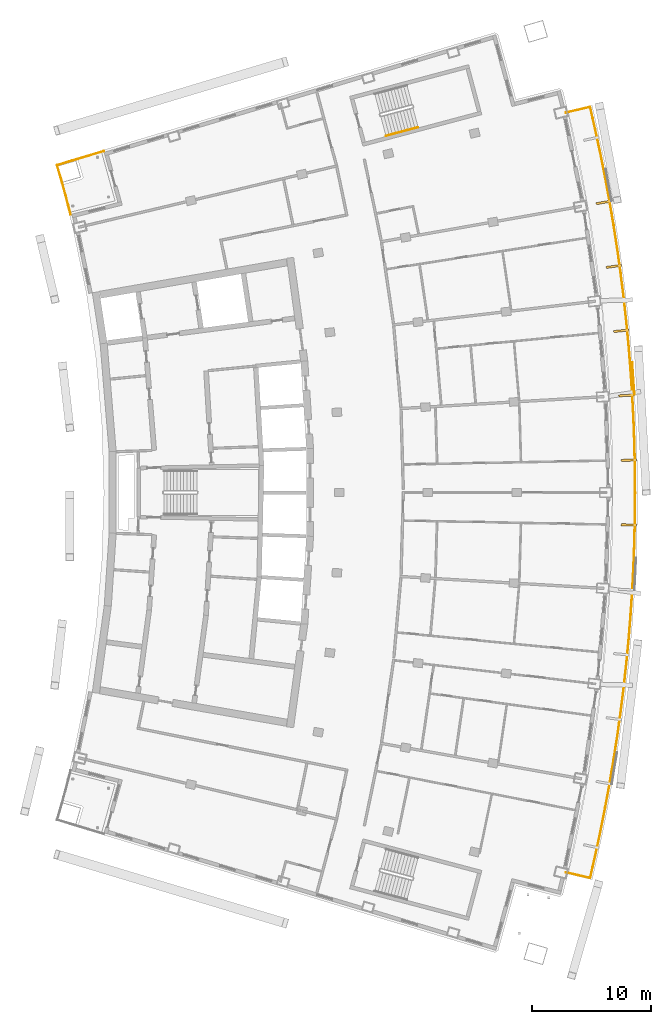
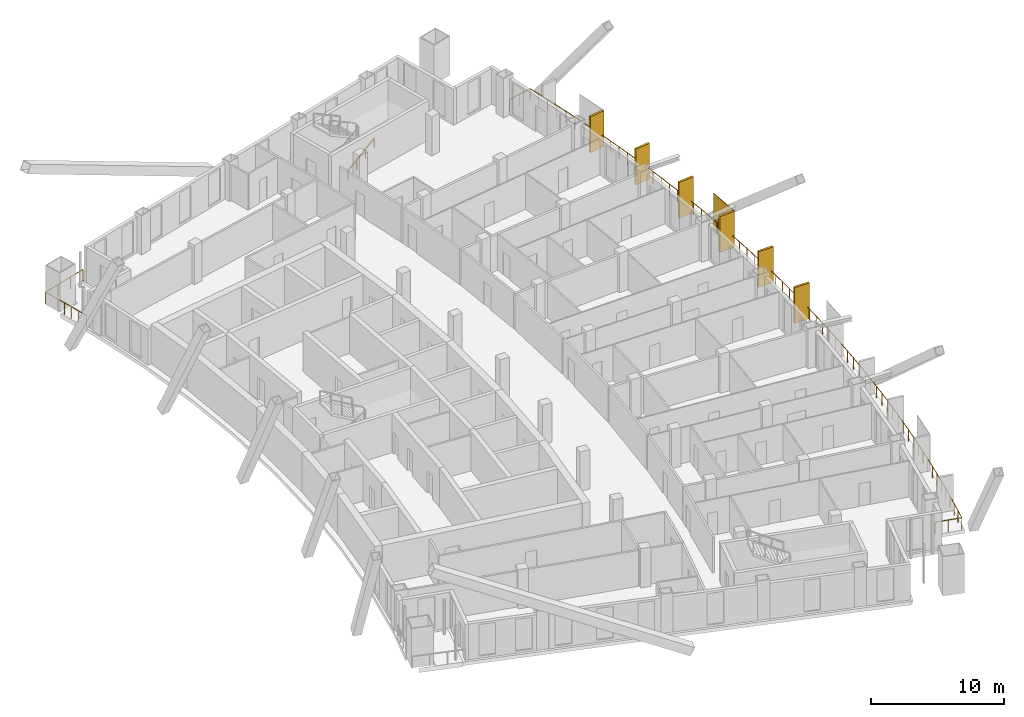
# One storey, part 18 of 19: 7 shading devices, 3 railings.
"""IFC4 building model written with IfcOpenShell, lengths in metres."""

from ifc_helpers import new_model, si_unit, direction, frame, origin, origin_2d, place, context, subcontext, project, spatial, rectangle, extrude, material, layer, layer_set, type_object, element, save


model = new_model("IFC4")

# Units and contexts
model_context = context("Model", 3, precision=1e-05, world=origin(), true_north=direction((0.0, 1.0)))
body_context = subcontext(model_context, "Body", "Model", "MODEL_VIEW")
ifc_project = project(units=[si_unit("LENGTHUNIT", "METRE"), si_unit("AREAUNIT", "SQUARE_METRE"), si_unit("VOLUMEUNIT", "CUBIC_METRE"), si_unit("PLANEANGLEUNIT", "RADIAN"), si_unit("MASSUNIT", "GRAM", prefix="KILO")], contexts=[model_context])

# Site, building, storey
site_placement = place(None, origin())
site = spatial("IfcSite", under=ifc_project, at=site_placement, CompositionType="ELEMENT")
building_placement = place(site_placement, origin())
building = spatial("IfcBuilding", under=site, at=building_placement, Name="Alderwake Tower", CompositionType="ELEMENT")
storey_placement = place(building_placement, frame((0.0, 0.0, 200.0)))
storey = spatial("IfcBuildingStorey", under=building, at=storey_placement, Name="L49", CompositionType="ELEMENT", Elevation=200.0)

# Railings
ifc_material_1 = material(Name="Stainless steel 316 rail and posts", Category="steel")
railing_type_1 = type_object("IfcRailingType", Name="Balcony guard 1100", PredefinedType="GUARDRAIL", material=ifc_material_1)
railing_1_placement = place(storey_placement, frame((54.86669921875, 29.048583984375, 0.0)))
element("IfcRailing", 1, at=railing_1_placement, inside=storey, type_object=railing_type_1, Name="Guard BF03", PredefinedType="GUARDRAIL", context=body_context, shape_type="SweptSolid", body=[
    extrude(rectangle(XDim=0.048095703125, YDim=0.048095703125, at=origin_2d()), frame((0.0, 0.0, 1.076171875), z_axis=(0.973069996158, -0.230509831846, 0.0), x_axis=(0.230509831846, 0.973069996158, 0.0)), (0.0, 0.0, 1.0), 2.100341796875),
    extrude(rectangle(XDim=0.048095703125, YDim=0.048095703125, at=origin_2d()), frame((2.043701171875, -0.484130859375, 1.076171875), z_axis=(0.223653450953, 0.974668730327, 0.0), x_axis=(-0.974668730327, 0.223653450953, 0.0)), (0.0, 0.0, 1.0), 1.951904296875),
    extrude(rectangle(XDim=0.048095703125, YDim=0.048095703125, at=origin_2d()), frame((2.480224609375, 1.418212890625, 1.076171875), z_axis=(0.209894744365, 0.977723987784, 0.0), x_axis=(-0.977723987784, 0.209894744365, 0.0)), (0.0, 0.0, 1.0), 2.0517578125),
    extrude(rectangle(XDim=0.048095703125, YDim=0.048095703125, at=origin_2d()), frame((2.910888671875, 3.42431640625, 1.076171875), z_axis=(0.195727136621, 0.980658395156, 0.0), x_axis=(-0.980658395156, 0.195727136621, 0.0)), (0.0, 0.0, 1.0), 2.052001953125),
    extrude(rectangle(XDim=0.048095703125, YDim=0.048095703125, at=origin_2d()), frame((3.3125, 5.4365234375, 1.076171875), z_axis=(0.18121997098, 0.983442587098, 0.0), x_axis=(-0.983442587098, 0.18121997098, 0.0)), (0.0, 0.0, 1.0), 2.0517578125),
    extrude(rectangle(XDim=0.048095703125, YDim=0.048095703125, at=origin_2d()), frame((3.684326171875, 7.454345703125, 1.076171875), z_axis=(0.166925923017, 0.985969439803, 0.0), x_axis=(-0.985969439803, 0.166925923017, 0.0)), (0.0, 0.0, 1.0), 2.052001953125),
    extrude(rectangle(XDim=0.048095703125, YDim=0.048095703125, at=origin_2d()), frame((4.02685546875, 9.4775390625, 1.076171875), z_axis=(0.152539987711, 0.988297299475, 0.0), x_axis=(-0.988297299475, 0.152539987711, 0.0)), (0.0, 0.0, 1.0), 2.0517578125),
    extrude(rectangle(XDim=0.048095703125, YDim=0.048095703125, at=origin_2d()), frame((4.33984375, 11.50537109375, 1.076171875), z_axis=(0.138139033555, 0.990412846952, 0.0), x_axis=(-0.990412846952, 0.138139033555, 0.0)), (0.0, 0.0, 1.0), 2.052001953125),
    extrude(rectangle(XDim=0.048095703125, YDim=0.048095703125, at=origin_2d()), frame((4.623291015625, 13.53759765625, 1.076171875), z_axis=(0.123507517364, 0.992343636627, 0.0), x_axis=(-0.992343636627, 0.123507517364, 0.0)), (0.0, 0.0, 1.0), 2.0517578125),
    extrude(rectangle(XDim=0.048095703125, YDim=0.048095703125, at=origin_2d()), frame((4.876708984375, 15.57373046875, 1.076171875), z_axis=(0.109229967975, 0.994016505948, 0.0), x_axis=(-0.994016505948, 0.109229967975, 0.0)), (0.0, 0.0, 1.0), 2.0517578125),
    extrude(rectangle(XDim=0.048095703125, YDim=0.048095703125, at=origin_2d()), frame((5.100830078125, 17.61328125, 1.076171875), z_axis=(0.094590111319, 0.995516303654, 0.0), x_axis=(-0.995516303654, 0.094590111319, 0.0)), (0.0, 0.0, 1.0), 2.052001953125),
    extrude(rectangle(XDim=0.048095703125, YDim=0.048095703125, at=origin_2d()), frame((5.294921875, 19.656005859375, 1.076171875), z_axis=(0.080199229738, 0.996778853884, 0.0), x_axis=(-0.996778853884, 0.080199229738, 0.0)), (0.0, 0.0, 1.0), 2.0517578125),
    extrude(rectangle(XDim=0.048095703125, YDim=0.048095703125, at=origin_2d()), frame((5.45947265625, 21.701171875, 1.076171875), z_axis=(0.065563376145, 0.997848407178, 0.0), x_axis=(-0.997848407178, 0.065563376145, 0.0)), (0.0, 0.0, 1.0), 2.0517578125),
    extrude(rectangle(XDim=0.048095703125, YDim=0.048095703125, at=origin_2d()), frame((5.593994140625, 23.74853515625, 1.076171875), z_axis=(0.051047382786, 0.99869623245, 0.0), x_axis=(-0.99869623245, 0.051047382786, 0.0)), (0.0, 0.0, 1.0), 2.0517578125),
    extrude(rectangle(XDim=0.048095703125, YDim=0.048095703125, at=origin_2d()), frame((5.69873046875, 25.797607421875, 1.076171875), z_axis=(0.036408752989, 0.999336981556, 0.0), x_axis=(-0.999336981556, 0.036408752989, 0.0)), (0.0, 0.0, 1.0), 2.052001953125),
    extrude(rectangle(XDim=0.048095703125, YDim=0.048095703125, at=origin_2d()), frame((5.7734375, 27.84814453125, 1.076171875), z_axis=(0.021891693926, 0.999760348152, 0.0), x_axis=(-0.999760348152, 0.021891693926, 0.0)), (0.0, 0.0, 1.0), 2.052001953125),
    extrude(rectangle(XDim=0.048095703125, YDim=0.048095703125, at=origin_2d()), frame((5.818359375, 29.899658203125, 1.076171875), z_axis=(0.00725825716, 0.999973658505, 0.0), x_axis=(-0.999973658505, 0.00725825716, 0.0)), (0.0, 0.0, 1.0), 2.0517578125),
    extrude(rectangle(XDim=0.048095703125, YDim=0.048095703125, at=origin_2d()), frame((5.833251953125, 31.951416015625, 1.076171875), z_axis=(-0.00725825716, 0.999973658505, 0.0), x_axis=(-0.999973658505, -0.00725825716, 0.0)), (0.0, 0.0, 1.0), 2.0517578125),
    extrude(rectangle(XDim=0.048095703125, YDim=0.048095703125, at=origin_2d()), frame((5.818359375, 34.003173828125, 1.076171875), z_axis=(-0.021891693926, 0.999760348152, 0.0), x_axis=(-0.999760348152, -0.021891693926, 0.0)), (0.0, 0.0, 1.0), 2.052001953125),
    extrude(rectangle(XDim=0.048095703125, YDim=0.048095703125, at=origin_2d()), frame((5.7734375, 36.0546875, 1.076171875), z_axis=(-0.036408752989, 0.999336981556, 0.0), x_axis=(-0.999336981556, -0.036408752989, 0.0)), (0.0, 0.0, 1.0), 2.052001953125),
    extrude(rectangle(XDim=0.048095703125, YDim=0.048095703125, at=origin_2d()), frame((5.69873046875, 38.105224609375, 1.076171875), z_axis=(-0.051047382786, 0.99869623245, 0.0), x_axis=(-0.99869623245, -0.051047382786, 0.0)), (0.0, 0.0, 1.0), 2.0517578125),
    extrude(rectangle(XDim=0.048095703125, YDim=0.048095703125, at=origin_2d()), frame((5.593994140625, 40.154296875, 1.076171875), z_axis=(-0.065563376145, 0.997848407178, 0.0), x_axis=(-0.997848407178, -0.065563376145, 0.0)), (0.0, 0.0, 1.0), 2.0517578125),
    extrude(rectangle(XDim=0.048095703125, YDim=0.048095703125, at=origin_2d()), frame((5.45947265625, 42.20166015625, 1.076171875), z_axis=(-0.080199229738, 0.996778853884, 0.0), x_axis=(-0.996778853884, -0.080199229738, 0.0)), (0.0, 0.0, 1.0), 2.0517578125),
    extrude(rectangle(XDim=0.048095703125, YDim=0.048095703125, at=origin_2d()), frame((5.294921875, 44.246826171875, 1.076171875), z_axis=(-0.094590111319, 0.995516303654, 0.0), x_axis=(-0.995516303654, -0.094590111319, 0.0)), (0.0, 0.0, 1.0), 2.052001953125),
    extrude(rectangle(XDim=0.048095703125, YDim=0.048095703125, at=origin_2d()), frame((5.100830078125, 46.28955078125, 1.076171875), z_axis=(-0.109229967975, 0.994016505948, 0.0), x_axis=(-0.994016505948, -0.109229967975, 0.0)), (0.0, 0.0, 1.0), 2.0517578125),
    extrude(rectangle(XDim=0.048095703125, YDim=0.048095703125, at=origin_2d()), frame((4.876708984375, 48.3291015625, 1.076171875), z_axis=(-0.123507517364, 0.992343636627, 0.0), x_axis=(-0.992343636627, -0.123507517364, 0.0)), (0.0, 0.0, 1.0), 2.0517578125),
    extrude(rectangle(XDim=0.048095703125, YDim=0.048095703125, at=origin_2d()), frame((4.623291015625, 50.365234375, 1.076171875), z_axis=(-0.138139033555, 0.990412846952, 0.0), x_axis=(-0.990412846952, -0.138139033555, 0.0)), (0.0, 0.0, 1.0), 2.052001953125),
    extrude(rectangle(XDim=0.048095703125, YDim=0.048095703125, at=origin_2d()), frame((4.33984375, 52.3974609375, 1.076171875), z_axis=(-0.152539987711, 0.988297299475, 0.0), x_axis=(-0.988297299475, -0.152539987711, 0.0)), (0.0, 0.0, 1.0), 2.0517578125),
    extrude(rectangle(XDim=0.048095703125, YDim=0.048095703125, at=origin_2d()), frame((4.02685546875, 54.42529296875, 1.076171875), z_axis=(-0.166925923017, 0.985969439803, 0.0), x_axis=(-0.985969439803, -0.166925923017, 0.0)), (0.0, 0.0, 1.0), 2.052001953125),
    extrude(rectangle(XDim=0.048095703125, YDim=0.048095703125, at=origin_2d()), frame((3.684326171875, 56.448486328125, 1.076171875), z_axis=(-0.18121997098, 0.983442587098, 0.0), x_axis=(-0.983442587098, -0.18121997098, 0.0)), (0.0, 0.0, 1.0), 2.0517578125),
    extrude(rectangle(XDim=0.048095703125, YDim=0.048095703125, at=origin_2d()), frame((3.3125, 58.46630859375, 1.076171875), z_axis=(-0.195727136621, 0.980658395156, 0.0), x_axis=(-0.980658395156, -0.195727136621, 0.0)), (0.0, 0.0, 1.0), 2.052001953125),
    extrude(rectangle(XDim=0.048095703125, YDim=0.048095703125, at=origin_2d()), frame((2.910888671875, 60.478515625, 1.076171875), z_axis=(-0.209894744365, 0.977723987784, 0.0), x_axis=(-0.977723987784, -0.209894744365, 0.0)), (0.0, 0.0, 1.0), 2.0517578125),
    extrude(rectangle(XDim=0.048095703125, YDim=0.048095703125, at=origin_2d()), frame((2.480224609375, 62.484619140625, 1.076171875), z_axis=(-0.223653450953, 0.974668730327, 0.0), x_axis=(-0.974668730327, -0.223653450953, 0.0)), (0.0, 0.0, 1.0), 1.951904296875),
    extrude(rectangle(XDim=0.048095703125, YDim=0.048095703125, at=origin_2d()), frame((2.043701171875, 64.386962890625, 1.076171875), z_axis=(-0.973069996158, -0.230509831846, 0.0), x_axis=(0.230509831846, -0.973069996158, 0.0)), (0.0, 0.0, 1.0), 2.100341796875),
    extrude(rectangle(XDim=0.0419921875, YDim=0.0419921875, at=origin_2d()), frame((0.0, 0.0, 0.0), z_axis=(0.0, 0.0, 1.0), x_axis=(0.973069996158, -0.230509831846, 0.0)), (0.0, 0.0, 1.0), 1.052001953125),
    extrude(rectangle(XDim=0.0419921875, YDim=0.0419921875, at=origin_2d()), frame((1.02197265625, -0.2421875, 0.0), z_axis=(0.0, 0.0, 1.0), x_axis=(0.973069996158, -0.230509831846, 0.0)), (0.0, 0.0, 1.0), 1.052001953125),
    extrude(rectangle(XDim=0.0419921875, YDim=0.0419921875, at=origin_2d()), frame((2.043701171875, -0.484130859375, 0.0), z_axis=(0.0, 0.0, 1.0), x_axis=(0.223653450953, 0.974668730327, 0.0)), (0.0, 0.0, 1.0), 1.052001953125),
    extrude(rectangle(XDim=0.0419921875, YDim=0.0419921875, at=origin_2d()), frame((2.261962890625, 0.467041015625, 0.0), z_axis=(0.0, 0.0, 1.0), x_axis=(0.223653450953, 0.974668730327, 0.0)), (0.0, 0.0, 1.0), 1.052001953125),
    extrude(rectangle(XDim=0.0419921875, YDim=0.0419921875, at=origin_2d()), frame((2.480224609375, 1.418212890625, 0.0), z_axis=(0.0, 0.0, 1.0), x_axis=(0.209894744365, 0.977723987784, 0.0)), (0.0, 0.0, 1.0), 1.052001953125),
    extrude(rectangle(XDim=0.0419921875, YDim=0.0419921875, at=origin_2d()), frame((2.695556640625, 2.42138671875, 0.0), z_axis=(0.0, 0.0, 1.0), x_axis=(0.209894744365, 0.977723987784, 0.0)), (0.0, 0.0, 1.0), 1.052001953125),
    extrude(rectangle(XDim=0.0419921875, YDim=0.0419921875, at=origin_2d()), frame((2.910888671875, 3.42431640625, 0.0), z_axis=(0.0, 0.0, 1.0), x_axis=(0.195727136621, 0.980658395156, 0.0)), (0.0, 0.0, 1.0), 1.052001953125),
    extrude(rectangle(XDim=0.0419921875, YDim=0.0419921875, at=origin_2d()), frame((3.11181640625, 4.430419921875, 0.0), z_axis=(0.0, 0.0, 1.0), x_axis=(0.195727136621, 0.980658395156, 0.0)), (0.0, 0.0, 1.0), 1.052001953125),
    extrude(rectangle(XDim=0.0419921875, YDim=0.0419921875, at=origin_2d()), frame((3.3125, 5.4365234375, 0.0), z_axis=(0.0, 0.0, 1.0), x_axis=(0.18121997098, 0.983442587098, 0.0)), (0.0, 0.0, 1.0), 1.052001953125),
    extrude(rectangle(XDim=0.0419921875, YDim=0.0419921875, at=origin_2d()), frame((3.49853515625, 6.4453125, 0.0), z_axis=(0.0, 0.0, 1.0), x_axis=(0.18121997098, 0.983442587098, 0.0)), (0.0, 0.0, 1.0), 1.052001953125),
    extrude(rectangle(XDim=0.0419921875, YDim=0.0419921875, at=origin_2d()), frame((3.684326171875, 7.454345703125, 0.0), z_axis=(0.0, 0.0, 1.0), x_axis=(0.166925923017, 0.985969439803, 0.0)), (0.0, 0.0, 1.0), 1.052001953125),
    extrude(rectangle(XDim=0.0419921875, YDim=0.0419921875, at=origin_2d()), frame((3.85546875, 8.4658203125, 0.0), z_axis=(0.0, 0.0, 1.0), x_axis=(0.166925923017, 0.985969439803, 0.0)), (0.0, 0.0, 1.0), 1.052001953125),
    extrude(rectangle(XDim=0.0419921875, YDim=0.0419921875, at=origin_2d()), frame((4.02685546875, 9.4775390625, 0.0), z_axis=(0.0, 0.0, 1.0), x_axis=(0.152539987711, 0.988297299475, 0.0)), (0.0, 0.0, 1.0), 1.052001953125),
    extrude(rectangle(XDim=0.0419921875, YDim=0.0419921875, at=origin_2d()), frame((4.183349609375, 10.491455078125, 0.0), z_axis=(0.0, 0.0, 1.0), x_axis=(0.152539987711, 0.988297299475, 0.0)), (0.0, 0.0, 1.0), 1.052001953125),
    extrude(rectangle(XDim=0.0419921875, YDim=0.0419921875, at=origin_2d()), frame((4.33984375, 11.50537109375, 0.0), z_axis=(0.0, 0.0, 1.0), x_axis=(0.138139033555, 0.990412846952, 0.0)), (0.0, 0.0, 1.0), 1.052001953125),
    extrude(rectangle(XDim=0.0419921875, YDim=0.0419921875, at=origin_2d()), frame((4.4814453125, 12.521484375, 0.0), z_axis=(0.0, 0.0, 1.0), x_axis=(0.138139033555, 0.990412846952, 0.0)), (0.0, 0.0, 1.0), 1.052001953125),
    extrude(rectangle(XDim=0.0419921875, YDim=0.0419921875, at=origin_2d()), frame((4.623291015625, 13.53759765625, 0.0), z_axis=(0.0, 0.0, 1.0), x_axis=(0.123507517364, 0.992343636627, 0.0)), (0.0, 0.0, 1.0), 1.052001953125),
    extrude(rectangle(XDim=0.0419921875, YDim=0.0419921875, at=origin_2d()), frame((4.75, 14.5556640625, 0.0), z_axis=(0.0, 0.0, 1.0), x_axis=(0.123507517364, 0.992343636627, 0.0)), (0.0, 0.0, 1.0), 1.052001953125),
    extrude(rectangle(XDim=0.0419921875, YDim=0.0419921875, at=origin_2d()), frame((4.876708984375, 15.57373046875, 0.0), z_axis=(0.0, 0.0, 1.0), x_axis=(0.109229967975, 0.994016505948, 0.0)), (0.0, 0.0, 1.0), 1.052001953125),
    extrude(rectangle(XDim=0.0419921875, YDim=0.0419921875, at=origin_2d()), frame((4.98876953125, 16.593505859375, 0.0), z_axis=(0.0, 0.0, 1.0), x_axis=(0.109229967975, 0.994016505948, 0.0)), (0.0, 0.0, 1.0), 1.052001953125),
    extrude(rectangle(XDim=0.0419921875, YDim=0.0419921875, at=origin_2d()), frame((5.100830078125, 17.61328125, 0.0), z_axis=(0.0, 0.0, 1.0), x_axis=(0.094590111319, 0.995516303654, 0.0)), (0.0, 0.0, 1.0), 1.052001953125),
    extrude(rectangle(XDim=0.0419921875, YDim=0.0419921875, at=origin_2d()), frame((5.19775390625, 18.634765625, 0.0), z_axis=(0.0, 0.0, 1.0), x_axis=(0.094590111319, 0.995516303654, 0.0)), (0.0, 0.0, 1.0), 1.052001953125),
    extrude(rectangle(XDim=0.0419921875, YDim=0.0419921875, at=origin_2d()), frame((5.294921875, 19.656005859375, 0.0), z_axis=(0.0, 0.0, 1.0), x_axis=(0.080199229738, 0.996778853884, 0.0)), (0.0, 0.0, 1.0), 1.052001953125),
    extrude(rectangle(XDim=0.0419921875, YDim=0.0419921875, at=origin_2d()), frame((5.377197265625, 20.6787109375, 0.0), z_axis=(0.0, 0.0, 1.0), x_axis=(0.080199229738, 0.996778853884, 0.0)), (0.0, 0.0, 1.0), 1.052001953125),
    extrude(rectangle(XDim=0.0419921875, YDim=0.0419921875, at=origin_2d()), frame((5.45947265625, 21.701171875, 0.0), z_axis=(0.0, 0.0, 1.0), x_axis=(0.065563376145, 0.997848407178, 0.0)), (0.0, 0.0, 1.0), 1.052001953125),
    extrude(rectangle(XDim=0.0419921875, YDim=0.0419921875, at=origin_2d()), frame((5.52685546875, 22.724853515625, 0.0), z_axis=(0.0, 0.0, 1.0), x_axis=(0.065563376145, 0.997848407178, 0.0)), (0.0, 0.0, 1.0), 1.052001953125),
    extrude(rectangle(XDim=0.0419921875, YDim=0.0419921875, at=origin_2d()), frame((5.593994140625, 23.74853515625, 0.0), z_axis=(0.0, 0.0, 1.0), x_axis=(0.051047382786, 0.99869623245, 0.0)), (0.0, 0.0, 1.0), 1.052001953125),
    extrude(rectangle(XDim=0.0419921875, YDim=0.0419921875, at=origin_2d()), frame((5.646484375, 24.77294921875, 0.0), z_axis=(0.0, 0.0, 1.0), x_axis=(0.051047382786, 0.99869623245, 0.0)), (0.0, 0.0, 1.0), 1.052001953125),
    extrude(rectangle(XDim=0.0419921875, YDim=0.0419921875, at=origin_2d()), frame((5.69873046875, 25.797607421875, 0.0), z_axis=(0.0, 0.0, 1.0), x_axis=(0.036408752989, 0.999336981556, 0.0)), (0.0, 0.0, 1.0), 1.052001953125),
    extrude(rectangle(XDim=0.0419921875, YDim=0.0419921875, at=origin_2d()), frame((5.736083984375, 26.82275390625, 0.0), z_axis=(0.0, 0.0, 1.0), x_axis=(0.036408752989, 0.999336981556, 0.0)), (0.0, 0.0, 1.0), 1.052001953125),
    extrude(rectangle(XDim=0.0419921875, YDim=0.0419921875, at=origin_2d()), frame((5.7734375, 27.84814453125, 0.0), z_axis=(0.0, 0.0, 1.0), x_axis=(0.021891693926, 0.999760348152, 0.0)), (0.0, 0.0, 1.0), 1.052001953125),
    extrude(rectangle(XDim=0.0419921875, YDim=0.0419921875, at=origin_2d()), frame((5.7958984375, 28.8740234375, 0.0), z_axis=(0.0, 0.0, 1.0), x_axis=(0.021891693926, 0.999760348152, 0.0)), (0.0, 0.0, 1.0), 1.052001953125),
    extrude(rectangle(XDim=0.0419921875, YDim=0.0419921875, at=origin_2d()), frame((5.818359375, 29.899658203125, 0.0), z_axis=(0.0, 0.0, 1.0), x_axis=(0.00725825716, 0.999973658505, 0.0)), (0.0, 0.0, 1.0), 1.052001953125),
    extrude(rectangle(XDim=0.0419921875, YDim=0.0419921875, at=origin_2d()), frame((5.82568359375, 30.925537109375, 0.0), z_axis=(0.0, 0.0, 1.0), x_axis=(0.00725825716, 0.999973658505, 0.0)), (0.0, 0.0, 1.0), 1.052001953125),
    extrude(rectangle(XDim=0.0419921875, YDim=0.0419921875, at=origin_2d()), frame((5.833251953125, 31.951416015625, 0.0), z_axis=(0.0, 0.0, 1.0), x_axis=(-0.00725825716, 0.999973658505, 0.0)), (0.0, 0.0, 1.0), 1.052001953125),
    extrude(rectangle(XDim=0.0419921875, YDim=0.0419921875, at=origin_2d()), frame((5.82568359375, 32.977294921875, 0.0), z_axis=(0.0, 0.0, 1.0), x_axis=(-0.00725825716, 0.999973658505, 0.0)), (0.0, 0.0, 1.0), 1.052001953125),
    extrude(rectangle(XDim=0.0419921875, YDim=0.0419921875, at=origin_2d()), frame((5.818359375, 34.003173828125, 0.0), z_axis=(0.0, 0.0, 1.0), x_axis=(-0.021891693926, 0.999760348152, 0.0)), (0.0, 0.0, 1.0), 1.052001953125),
    extrude(rectangle(XDim=0.0419921875, YDim=0.0419921875, at=origin_2d()), frame((5.7958984375, 35.02880859375, 0.0), z_axis=(0.0, 0.0, 1.0), x_axis=(-0.021891693926, 0.999760348152, 0.0)), (0.0, 0.0, 1.0), 1.052001953125),
    extrude(rectangle(XDim=0.0419921875, YDim=0.0419921875, at=origin_2d()), frame((5.7734375, 36.0546875, 0.0), z_axis=(0.0, 0.0, 1.0), x_axis=(-0.036408752989, 0.999336981556, 0.0)), (0.0, 0.0, 1.0), 1.052001953125),
    extrude(rectangle(XDim=0.0419921875, YDim=0.0419921875, at=origin_2d()), frame((5.736083984375, 37.080078125, 0.0), z_axis=(0.0, 0.0, 1.0), x_axis=(-0.036408752989, 0.999336981556, 0.0)), (0.0, 0.0, 1.0), 1.052001953125),
    extrude(rectangle(XDim=0.0419921875, YDim=0.0419921875, at=origin_2d()), frame((5.69873046875, 38.105224609375, 0.0), z_axis=(0.0, 0.0, 1.0), x_axis=(-0.051047382786, 0.99869623245, 0.0)), (0.0, 0.0, 1.0), 1.052001953125),
    extrude(rectangle(XDim=0.0419921875, YDim=0.0419921875, at=origin_2d()), frame((5.646484375, 39.1298828125, 0.0), z_axis=(0.0, 0.0, 1.0), x_axis=(-0.051047382786, 0.99869623245, 0.0)), (0.0, 0.0, 1.0), 1.052001953125),
    extrude(rectangle(XDim=0.0419921875, YDim=0.0419921875, at=origin_2d()), frame((5.593994140625, 40.154296875, 0.0), z_axis=(0.0, 0.0, 1.0), x_axis=(-0.065563376145, 0.997848407178, 0.0)), (0.0, 0.0, 1.0), 1.052001953125),
    extrude(rectangle(XDim=0.0419921875, YDim=0.0419921875, at=origin_2d()), frame((5.52685546875, 41.177978515625, 0.0), z_axis=(0.0, 0.0, 1.0), x_axis=(-0.065563376145, 0.997848407178, 0.0)), (0.0, 0.0, 1.0), 1.052001953125),
    extrude(rectangle(XDim=0.0419921875, YDim=0.0419921875, at=origin_2d()), frame((5.45947265625, 42.20166015625, 0.0), z_axis=(0.0, 0.0, 1.0), x_axis=(-0.080199229738, 0.996778853884, 0.0)), (0.0, 0.0, 1.0), 1.052001953125),
    extrude(rectangle(XDim=0.0419921875, YDim=0.0419921875, at=origin_2d()), frame((5.377197265625, 43.22412109375, 0.0), z_axis=(0.0, 0.0, 1.0), x_axis=(-0.080199229738, 0.996778853884, 0.0)), (0.0, 0.0, 1.0), 1.052001953125),
    extrude(rectangle(XDim=0.0419921875, YDim=0.0419921875, at=origin_2d()), frame((5.294921875, 44.246826171875, 0.0), z_axis=(0.0, 0.0, 1.0), x_axis=(-0.094590111319, 0.995516303654, 0.0)), (0.0, 0.0, 1.0), 1.052001953125),
    extrude(rectangle(XDim=0.0419921875, YDim=0.0419921875, at=origin_2d()), frame((5.19775390625, 45.26806640625, 0.0), z_axis=(0.0, 0.0, 1.0), x_axis=(-0.094590111319, 0.995516303654, 0.0)), (0.0, 0.0, 1.0), 1.052001953125),
    extrude(rectangle(XDim=0.0419921875, YDim=0.0419921875, at=origin_2d()), frame((5.100830078125, 46.28955078125, 0.0), z_axis=(0.0, 0.0, 1.0), x_axis=(-0.109229967975, 0.994016505948, 0.0)), (0.0, 0.0, 1.0), 1.052001953125),
    extrude(rectangle(XDim=0.0419921875, YDim=0.0419921875, at=origin_2d()), frame((4.98876953125, 47.309326171875, 0.0), z_axis=(0.0, 0.0, 1.0), x_axis=(-0.109229967975, 0.994016505948, 0.0)), (0.0, 0.0, 1.0), 1.052001953125),
    extrude(rectangle(XDim=0.0419921875, YDim=0.0419921875, at=origin_2d()), frame((4.876708984375, 48.3291015625, 0.0), z_axis=(0.0, 0.0, 1.0), x_axis=(-0.123507517364, 0.992343636627, 0.0)), (0.0, 0.0, 1.0), 1.052001953125),
    extrude(rectangle(XDim=0.0419921875, YDim=0.0419921875, at=origin_2d()), frame((4.75, 49.34716796875, 0.0), z_axis=(0.0, 0.0, 1.0), x_axis=(-0.123507517364, 0.992343636627, 0.0)), (0.0, 0.0, 1.0), 1.052001953125),
    extrude(rectangle(XDim=0.0419921875, YDim=0.0419921875, at=origin_2d()), frame((4.623291015625, 50.365234375, 0.0), z_axis=(0.0, 0.0, 1.0), x_axis=(-0.138139033555, 0.990412846952, 0.0)), (0.0, 0.0, 1.0), 1.052001953125),
    extrude(rectangle(XDim=0.0419921875, YDim=0.0419921875, at=origin_2d()), frame((4.4814453125, 51.38134765625, 0.0), z_axis=(0.0, 0.0, 1.0), x_axis=(-0.138139033555, 0.990412846952, 0.0)), (0.0, 0.0, 1.0), 1.052001953125),
    extrude(rectangle(XDim=0.0419921875, YDim=0.0419921875, at=origin_2d()), frame((4.33984375, 52.3974609375, 0.0), z_axis=(0.0, 0.0, 1.0), x_axis=(-0.152539987711, 0.988297299475, 0.0)), (0.0, 0.0, 1.0), 1.052001953125),
    extrude(rectangle(XDim=0.0419921875, YDim=0.0419921875, at=origin_2d()), frame((4.183349609375, 53.411376953125, 0.0), z_axis=(0.0, 0.0, 1.0), x_axis=(-0.152539987711, 0.988297299475, 0.0)), (0.0, 0.0, 1.0), 1.052001953125),
    extrude(rectangle(XDim=0.0419921875, YDim=0.0419921875, at=origin_2d()), frame((4.02685546875, 54.42529296875, 0.0), z_axis=(0.0, 0.0, 1.0), x_axis=(-0.166925923017, 0.985969439803, 0.0)), (0.0, 0.0, 1.0), 1.052001953125),
    extrude(rectangle(XDim=0.0419921875, YDim=0.0419921875, at=origin_2d()), frame((3.85546875, 55.43701171875, 0.0), z_axis=(0.0, 0.0, 1.0), x_axis=(-0.166925923017, 0.985969439803, 0.0)), (0.0, 0.0, 1.0), 1.052001953125),
    extrude(rectangle(XDim=0.0419921875, YDim=0.0419921875, at=origin_2d()), frame((3.684326171875, 56.448486328125, 0.0), z_axis=(0.0, 0.0, 1.0), x_axis=(-0.18121997098, 0.983442587098, 0.0)), (0.0, 0.0, 1.0), 1.052001953125),
    extrude(rectangle(XDim=0.0419921875, YDim=0.0419921875, at=origin_2d()), frame((3.49853515625, 57.45751953125, 0.0), z_axis=(0.0, 0.0, 1.0), x_axis=(-0.18121997098, 0.983442587098, 0.0)), (0.0, 0.0, 1.0), 1.052001953125),
    extrude(rectangle(XDim=0.0419921875, YDim=0.0419921875, at=origin_2d()), frame((3.3125, 58.46630859375, 0.0), z_axis=(0.0, 0.0, 1.0), x_axis=(-0.195727136621, 0.980658395156, 0.0)), (0.0, 0.0, 1.0), 1.052001953125),
    extrude(rectangle(XDim=0.0419921875, YDim=0.0419921875, at=origin_2d()), frame((3.11181640625, 59.472412109375, 0.0), z_axis=(0.0, 0.0, 1.0), x_axis=(-0.195727136621, 0.980658395156, 0.0)), (0.0, 0.0, 1.0), 1.052001953125),
    extrude(rectangle(XDim=0.0419921875, YDim=0.0419921875, at=origin_2d()), frame((2.910888671875, 60.478515625, 0.0), z_axis=(0.0, 0.0, 1.0), x_axis=(-0.209894744365, 0.977723987784, 0.0)), (0.0, 0.0, 1.0), 1.052001953125),
    extrude(rectangle(XDim=0.0419921875, YDim=0.0419921875, at=origin_2d()), frame((2.695556640625, 61.4814453125, 0.0), z_axis=(0.0, 0.0, 1.0), x_axis=(-0.209894744365, 0.977723987784, 0.0)), (0.0, 0.0, 1.0), 1.052001953125),
    extrude(rectangle(XDim=0.0419921875, YDim=0.0419921875, at=origin_2d()), frame((2.480224609375, 62.484619140625, 0.0), z_axis=(0.0, 0.0, 1.0), x_axis=(-0.223653450953, 0.974668730327, 0.0)), (0.0, 0.0, 1.0), 1.052001953125),
    extrude(rectangle(XDim=0.0419921875, YDim=0.0419921875, at=origin_2d()), frame((2.261962890625, 63.435791015625, 0.0), z_axis=(0.0, 0.0, 1.0), x_axis=(-0.223653450953, 0.974668730327, 0.0)), (0.0, 0.0, 1.0), 1.052001953125),
    extrude(rectangle(XDim=0.0419921875, YDim=0.0419921875, at=origin_2d()), frame((2.043701171875, 64.386962890625, 0.0), z_axis=(0.0, 0.0, 1.0), x_axis=(-0.973069996158, -0.230509831846, 0.0)), (0.0, 0.0, 1.0), 1.052001953125),
    extrude(rectangle(XDim=0.0419921875, YDim=0.0419921875, at=origin_2d()), frame((1.02197265625, 64.14501953125, 0.0), z_axis=(0.0, 0.0, 1.0), x_axis=(-0.973069996158, -0.230509831846, 0.0)), (0.0, 0.0, 1.0), 1.052001953125),
    extrude(rectangle(XDim=0.0419921875, YDim=0.0419921875, at=origin_2d()), frame((0.0, 63.90283203125, 0.0), z_axis=(0.0, 0.0, 1.0), x_axis=(-0.973069996158, -0.230509831846, 0.0)), (0.0, 0.0, 1.0), 1.052001953125),
])
railing_2_placement = place(storey_placement, frame((13.210693359375, 84.387451171875, 0.0)))
element("IfcRailing", 2, at=railing_2_placement, inside=storey, type_object=railing_type_1, Name="Guard terrace RN", PredefinedType="GUARDRAIL", context=body_context, shape_type="SweptSolid", body=[
    extrude(rectangle(XDim=0.048095703125, YDim=0.048095703125, at=origin_2d()), frame((0.0, 0.0, 1.076171875), z_axis=(-0.251385381433, 0.967887075026, 0.0), x_axis=(-0.967887075026, -0.251385381433, 0.0)), (0.0, 0.0, 1.0), 1.6015625),
    extrude(rectangle(XDim=0.048095703125, YDim=0.048095703125, at=origin_2d()), frame((-0.402587890625, 1.550048828125, 1.076171875), z_axis=(-0.266520638672, 0.963829211615, 0.0), x_axis=(-0.963829211615, -0.266520638672, 0.0)), (0.0, 0.0, 1.0), 1.401611328125),
    extrude(rectangle(XDim=0.048095703125, YDim=0.048095703125, at=origin_2d()), frame((-0.776123046875, 2.90087890625, 1.076171875), z_axis=(-0.280093650878, 0.959972680204, 0.0), x_axis=(-0.959972680204, -0.280093650878, 0.0)), (0.0, 0.0, 1.0), 1.30126953125),
    extrude(rectangle(XDim=0.048095703125, YDim=0.048095703125, at=origin_2d()), frame((-1.140625, 4.150146484375, 1.076171875), z_axis=(0.958066871889, 0.286544706789, 0.0), x_axis=(-0.286544706789, 0.958066871889, 0.0)), (0.0, 0.0, 1.0), 4.099853515625),
    extrude(rectangle(XDim=0.0419921875, YDim=0.0419921875, at=origin_2d()), frame((0.0, 0.0, 0.0), z_axis=(0.0, 0.0, 1.0), x_axis=(-0.251385381433, 0.967887075026, 0.0)), (0.0, 0.0, 1.0), 1.052001953125),
    extrude(rectangle(XDim=0.0419921875, YDim=0.0419921875, at=origin_2d()), frame((-0.201171875, 0.77490234375, 0.0), z_axis=(0.0, 0.0, 1.0), x_axis=(-0.251385381433, 0.967887075026, 0.0)), (0.0, 0.0, 1.0), 1.052001953125),
    extrude(rectangle(XDim=0.0419921875, YDim=0.0419921875, at=origin_2d()), frame((-0.402587890625, 1.550048828125, 0.0), z_axis=(0.0, 0.0, 1.0), x_axis=(-0.266520638672, 0.963829211615, 0.0)), (0.0, 0.0, 1.0), 1.052001953125),
    extrude(rectangle(XDim=0.0419921875, YDim=0.0419921875, at=origin_2d()), frame((-0.58935546875, 2.2255859375, 0.0), z_axis=(0.0, 0.0, 1.0), x_axis=(-0.266520638672, 0.963829211615, 0.0)), (0.0, 0.0, 1.0), 1.052001953125),
    extrude(rectangle(XDim=0.0419921875, YDim=0.0419921875, at=origin_2d()), frame((-0.776123046875, 2.90087890625, 0.0), z_axis=(0.0, 0.0, 1.0), x_axis=(-0.280093650878, 0.959972680204, 0.0)), (0.0, 0.0, 1.0), 1.052001953125),
    extrude(rectangle(XDim=0.0419921875, YDim=0.0419921875, at=origin_2d()), frame((-1.140625, 4.150146484375, 0.0), z_axis=(0.0, 0.0, 1.0), x_axis=(0.958066871889, 0.286544706789, 0.0)), (0.0, 0.0, 1.0), 1.052001953125),
    extrude(rectangle(XDim=0.0419921875, YDim=0.0419921875, at=origin_2d()), frame((0.168701171875, 4.541748046875, 0.0), z_axis=(0.0, 0.0, 1.0), x_axis=(0.958066871889, 0.286544706789, 0.0)), (0.0, 0.0, 1.0), 1.052001953125),
    extrude(rectangle(XDim=0.0419921875, YDim=0.0419921875, at=origin_2d()), frame((1.47802734375, 4.933349609375, 0.0), z_axis=(0.0, 0.0, 1.0), x_axis=(0.958066871889, 0.286544706789, 0.0)), (0.0, 0.0, 1.0), 1.052001953125),
    extrude(rectangle(XDim=0.0419921875, YDim=0.0419921875, at=origin_2d()), frame((2.787353515625, 5.324951171875, 0.0), z_axis=(0.0, 0.0, 1.0), x_axis=(0.958066871889, 0.286544706789, 0.0)), (0.0, 0.0, 1.0), 1.052001953125),
])

# Shading devices
ifc_material_2 = material(Name="Bronze anodised aluminium", Category="aluminium")
ifc_layer_1 = layer(ifc_material_2, 0.179931640625)
ifc_layer_set_1 = layer_set([ifc_layer_1], Name="Facade fin 1300")
shading_device_type_1 = type_object("IfcShadingDeviceType", Name="Facade fin 1300", PredefinedType="USERDEFINED", material=ifc_layer_set_1)
for number, where, z_axis, x_axis, name in (
    (3, (60.173583984375, 58.2802734375, 0.0), (0.0, 0.0, 1.0), (0.999811838809, -0.019398117887, 0.0), "Fin"),
    (4, (60.173583984375, 63.7197265625, 0.0), (0.0, 0.0, 1.0), (0.999811838809, 0.019398117887, 0.0), "Fin"),
    (5, (59.9619140625, 69.1689453125, 0.0), (0.0, 0.0, 1.0), (0.998301080988, 0.058266214038, 0.0), "Fin"),
    (6, (59.5380859375, 74.60595703125, 0.0), (0.0, 0.0, 1.0), (0.995279882363, 0.097046152751, 0.0), "Fin"),
    (7, (58.903564453125, 80.0224609375, 0.0), (0.0, 0.0, 1.0), (0.990752577235, 0.135680988728, 0.0), "Fin"),
    (8, (58.05859375, 85.409912109375, 0.0), (0.0, 0.0, 1.0), (0.984726421654, 0.174108800747, 0.0), "Fin"),
):
    element("IfcShadingDevice", number, at=place(storey_placement, frame(where, z_axis=z_axis, x_axis=x_axis)), inside=storey, type_object=shading_device_type_1, Name=name, ObjectType="FIN", PredefinedType="USERDEFINED", context=body_context, shape_type="SweptSolid", body=[
        extrude(rectangle(XDim=1.300048828125, YDim=0.179931640625, at=origin_2d()), origin(), (0.0, 0.0, 1.0), 3.280029296875),
    ])
ifc_material_3 = material(Name="Perforated bronze anodised aluminium", Category="aluminium")
ifc_layer_2 = layer(ifc_material_3, 0.050048828125)
ifc_layer_set_2 = layer_set([ifc_layer_2], Name="Perforated screen panel")
shading_device_type_2 = type_object("IfcShadingDeviceType", Name="Perforated screen panel", PredefinedType="USERDEFINED", material=ifc_layer_set_2)
shading_device_placement = place(storey_placement, frame((60.542236328125, 70.57861328125, 0.0), z_axis=(0.0, 0.0, 1.0), x_axis=(0.997685465774, 0.067997877779, 0.0)))
element("IfcShadingDevice", 9, at=shading_device_placement, inside=storey, type_object=shading_device_type_2, Name="Screen panel", ObjectType="SCREEN", PredefinedType="USERDEFINED", context=body_context, shape_type="SweptSolid", body=[
    extrude(rectangle(XDim=0.050048828125, YDim=2.7470703125, at=origin_2d()), origin(), (0.0, 0.0, 1.0), 3.280029296875),
])

# Railing
ifc_material_4 = material(Name="Stainless steel handrail", Category="steel")
railing_type_2 = type_object("IfcRailingType", Name="Stair handrail 900", PredefinedType="HANDRAIL", material=ifc_material_4)
railing_3_placement = place(storey_placement, frame((39.731689453125, 91.002685546875, 0.16357421875)))
element("IfcRailing", 10, at=railing_3_placement, inside=storey, type_object=railing_type_2, Name="L49 ST-A stair handrail 1", PredefinedType="HANDRAIL", context=body_context, shape_type="SweptSolid", body=[
    extrude(rectangle(XDim=0.048095703125, YDim=0.048095703125, at=origin_2d()), frame((0.0, 0.0, 0.8759765625), z_axis=(0.834258940753, 0.22222815314, 0.504605457487), x_axis=(-0.257402139082, 0.966304371715, 0.0)), (0.0, 0.0, 1.0), 3.2431640625),
    extrude(rectangle(XDim=0.0419921875, YDim=0.0419921875, at=origin_2d()), frame((0.0, 0.0, 0.0), z_axis=(0.0, 0.0, 1.0), x_axis=(0.966304371715, 0.257402139082, 0.0)), (0.0, 0.0, 1.0), 0.851806640625),
    extrude(rectangle(XDim=0.0419921875, YDim=0.0419921875, at=origin_2d()), frame((0.90185546875, 0.240234375, 0.54541015625), z_axis=(0.0, 0.0, 1.0), x_axis=(0.966304371715, 0.257402139082, 0.0)), (0.0, 0.0, 1.0), 0.851806640625),
    extrude(rectangle(XDim=0.0419921875, YDim=0.0419921875, at=origin_2d()), frame((1.8037109375, 0.48046875, 1.091064453125), z_axis=(0.0, 0.0, 1.0), x_axis=(0.966304371715, 0.257402139082, 0.0)), (0.0, 0.0, 1.0), 0.851806640625),
    extrude(rectangle(XDim=0.0419921875, YDim=0.0419921875, at=origin_2d()), frame((2.70556640625, 0.720703125, 1.636474609375), z_axis=(0.0, 0.0, 1.0), x_axis=(0.966304371715, 0.257402139082, 0.0)), (0.0, 0.0, 1.0), 0.851806640625),
])

save(model, "model.ifc")
